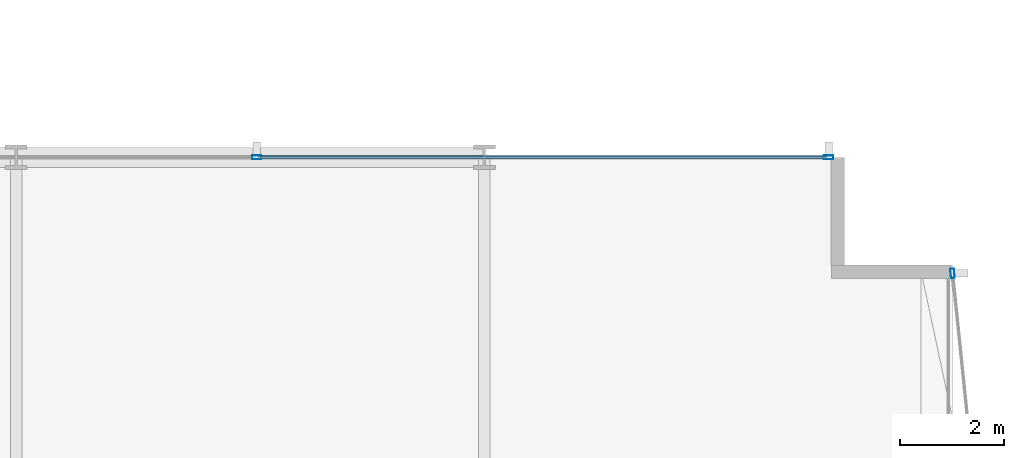
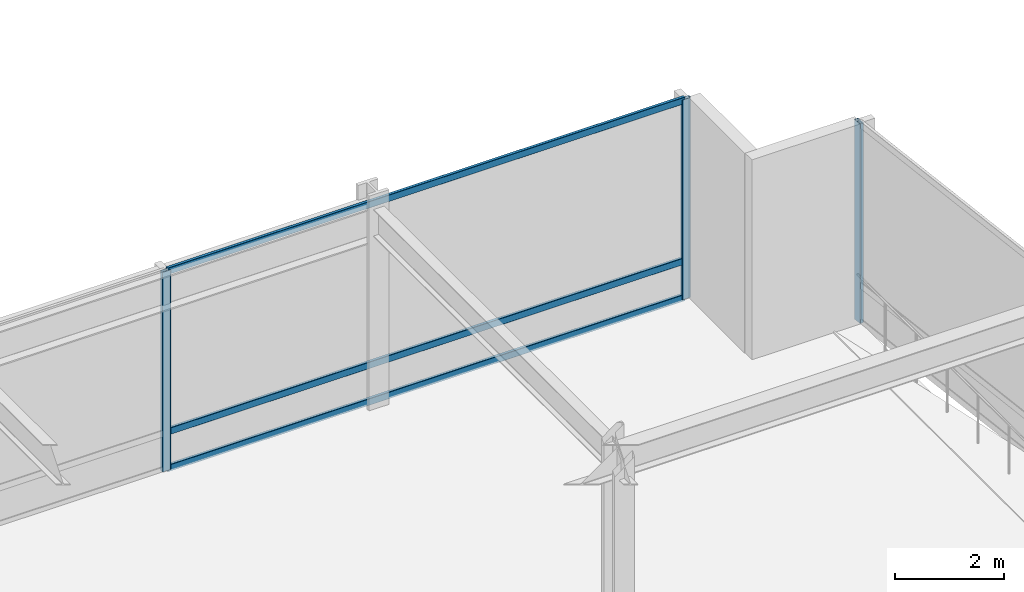
# One storey, part 18 of 42: 6 members, 2 elements without a shape of their own.
"""IFC4 building model written with IfcOpenShell, lengths in metres."""

from ifc_helpers import new_model, si_unit, direction, frame, origin, origin_2d, place, context, subcontext, project, spatial, hollow_rectangle, extrude, material, layer, layer_set, material_profile, profile_set, type_object, element, aggregate, save


model = new_model("IFC4")

# Units and contexts
model_context = context("Model", 3, precision=1e-05, world=origin(), true_north=direction((0.0, 1.0)))
body_context = subcontext(model_context, "Body", "Model", "MODEL_VIEW")
ifc_project = project(units=[si_unit("LENGTHUNIT", "METRE"), si_unit("AREAUNIT", "SQUARE_METRE"), si_unit("VOLUMEUNIT", "CUBIC_METRE"), si_unit("PLANEANGLEUNIT", "RADIAN"), si_unit("MASSUNIT", "GRAM", prefix="KILO")], contexts=[model_context])

# Site, building, storey
site_placement = place(None, origin())
site = spatial("IfcSite", under=ifc_project, at=site_placement, CompositionType="ELEMENT")
building_placement = place(site_placement, origin())
building = spatial("IfcBuilding", under=site, at=building_placement, Name="Solvaryn Broadcast Tower", CompositionType="ELEMENT")
storey_placement = place(building_placement, frame((0.0, 0.0, 100.199951171875)))
storey = spatial("IfcBuildingStorey", under=building, at=storey_placement, Name="L24", CompositionType="ELEMENT", Elevation=100.199951171875)

# Curtain wall, member
ifc_material_1 = material(Name="Aluminium and Terracotta Unitised Curtain Wall", Category="masonry")
ifc_layer = layer(ifc_material_1, 0.199951171875)
ifc_layer_set = layer_set([ifc_layer], Name="CW-SYS2-LOWMID")
curtain_wall_type = type_object("IfcCurtainWallType", Name="CW-SYS2-LOWMID", PredefinedType="NOTDEFINED", material=ifc_layer_set)
curtain_wall_1_placement = place(storey_placement, origin())
curtain_wall_1 = element("IfcCurtainWall", 1, at=curtain_wall_1_placement, inside=storey, type_object=curtain_wall_type, Name="L24 Curtain Wall ET1", PredefinedType="NOTDEFINED")
ifc_material_2 = material(Name="Anodised Aluminium 6063-T6", Category="aluminium")
ifc_material_profile_1 = material_profile(ifc_material_2, hollow_rectangle(XDim=0.074951171875, YDim=0.179931640625, WallThickness=0.00390625, InnerFilletRadius=0.00390625, OuterFilletRadius=0.008056640625, at=origin_2d()))
ifc_profile_set_1 = profile_set([ifc_material_profile_1], Name="Anodised Aluminium 6063-T6")
member_type_1 = type_object("IfcMemberType", Name="CW-MUL-180", PredefinedType="MULLION", material=ifc_profile_set_1)
member_1_placement = place(storey_placement, frame((63.003173828125, 24.770263671875, 0.0), z_axis=(0.0, 0.0, 1.0), x_axis=(0.99474329889, 0.10240004548, 0.0)))
member_1 = element("IfcMember", 2, at=member_1_placement, type_object=member_type_1, Name="CWS2 mullion 1", PredefinedType="MULLION", context=body_context, shape_type="SweptSolid", body=[
    extrude(hollow_rectangle(XDim=0.074951171875, YDim=0.179931640625, WallThickness=0.00390625, InnerFilletRadius=0.00390625, OuterFilletRadius=0.008056640625, at=origin_2d()), origin(), (0.0, 0.0, 1.0), 4.469970703125),
])
aggregate(curtain_wall_1, [member_1])

# Curtain wall, members
curtain_wall_2_placement = place(storey_placement, origin())
curtain_wall_2 = element("IfcCurtainWall", 3, at=curtain_wall_2_placement, inside=storey, type_object=curtain_wall_type, Name="L24 Curtain Wall IH", PredefinedType="NOTDEFINED")
member_2_placement = place(storey_placement, frame((49.625, 27.0, 0.0), z_axis=(0.0, 0.0, 1.0), x_axis=(0.0, 1.0, 0.0)))
member_2 = element("IfcMember", 4, at=member_2_placement, type_object=member_type_1, Name="CWS2 mullion 2", PredefinedType="MULLION", context=body_context, shape_type="SweptSolid", body=[
    extrude(hollow_rectangle(XDim=0.074951171875, YDim=0.179931640625, WallThickness=0.00390625, InnerFilletRadius=0.00390625, OuterFilletRadius=0.008056640625, at=origin_2d()), origin(), (0.0, 0.0, 1.0), 4.469970703125),
])
member_3_placement = place(storey_placement, frame((60.6201171875, 27.0, 0.0), z_axis=(0.0, 0.0, 1.0), x_axis=(0.0, 1.0, 0.0)))
member_3 = element("IfcMember", 5, at=member_3_placement, type_object=member_type_1, Name="CWS2 mullion 3", PredefinedType="MULLION", context=body_context, shape_type="SweptSolid", body=[
    extrude(hollow_rectangle(XDim=0.074951171875, YDim=0.179931640625, WallThickness=0.00390625, InnerFilletRadius=0.00390625, OuterFilletRadius=0.008056640625, at=origin_2d()), origin(), (0.0, 0.0, 1.0), 4.469970703125),
])
ifc_material_3 = material(Name="Anodised Aluminium 6063-T6", Category="aluminium")
ifc_material_profile_2 = material_profile(ifc_material_3, hollow_rectangle(XDim=0.06494140625, YDim=0.14990234375, WallThickness=0.00390625, InnerFilletRadius=0.00390625, OuterFilletRadius=0.008056640625, at=origin_2d()))
ifc_profile_set_2 = profile_set([ifc_material_profile_2], Name="Anodised Aluminium 6063-T6")
member_type_2 = type_object("IfcMemberType", Name="CW-TRN-150", PredefinedType="USERDEFINED", material=ifc_profile_set_2)
member_4_placement = place(storey_placement, frame((49.655029296875, 27.0, 0.030029296875), z_axis=(1.0, 0.0, 0.0), x_axis=(0.0, 1.0, 0.0)))
member_4 = element("IfcMember", 6, at=member_4_placement, type_object=member_type_2, Name="CWS2 transom 2.1", ObjectType="TRANSOM", PredefinedType="USERDEFINED", context=body_context, shape_type="SweptSolid", body=[
    extrude(hollow_rectangle(XDim=0.06494140625, YDim=0.14990234375, WallThickness=0.00390625, InnerFilletRadius=0.00390625, OuterFilletRadius=0.008056640625, at=origin_2d()), origin(), (0.0, 0.0, 1.0), 10.93505859375),
])
member_5_placement = place(storey_placement, frame((49.655029296875, 27.0, 0.85009765625), z_axis=(1.0, 0.0, 0.0), x_axis=(0.0, 1.0, 0.0)))
member_5 = element("IfcMember", 7, at=member_5_placement, type_object=member_type_2, Name="CWS2 transom 2.2", ObjectType="TRANSOM", PredefinedType="USERDEFINED", context=body_context, shape_type="SweptSolid", body=[
    extrude(hollow_rectangle(XDim=0.06494140625, YDim=0.14990234375, WallThickness=0.00390625, InnerFilletRadius=0.00390625, OuterFilletRadius=0.008056640625, at=origin_2d()), origin(), (0.0, 0.0, 1.0), 10.93505859375),
])
member_6_placement = place(storey_placement, frame((49.655029296875, 27.0, 4.43994140625), z_axis=(1.0, 0.0, 0.0), x_axis=(0.0, 1.0, 0.0)))
member_6 = element("IfcMember", 8, at=member_6_placement, type_object=member_type_2, Name="CWS2 transom 2.3", ObjectType="TRANSOM", PredefinedType="USERDEFINED", context=body_context, shape_type="SweptSolid", body=[
    extrude(hollow_rectangle(XDim=0.06494140625, YDim=0.14990234375, WallThickness=0.00390625, InnerFilletRadius=0.00390625, OuterFilletRadius=0.008056640625, at=origin_2d()), origin(), (0.0, 0.0, 1.0), 10.93505859375),
])
aggregate(curtain_wall_2, [member_2, member_3, member_4, member_5, member_6])

save(model, "model.ifc")
